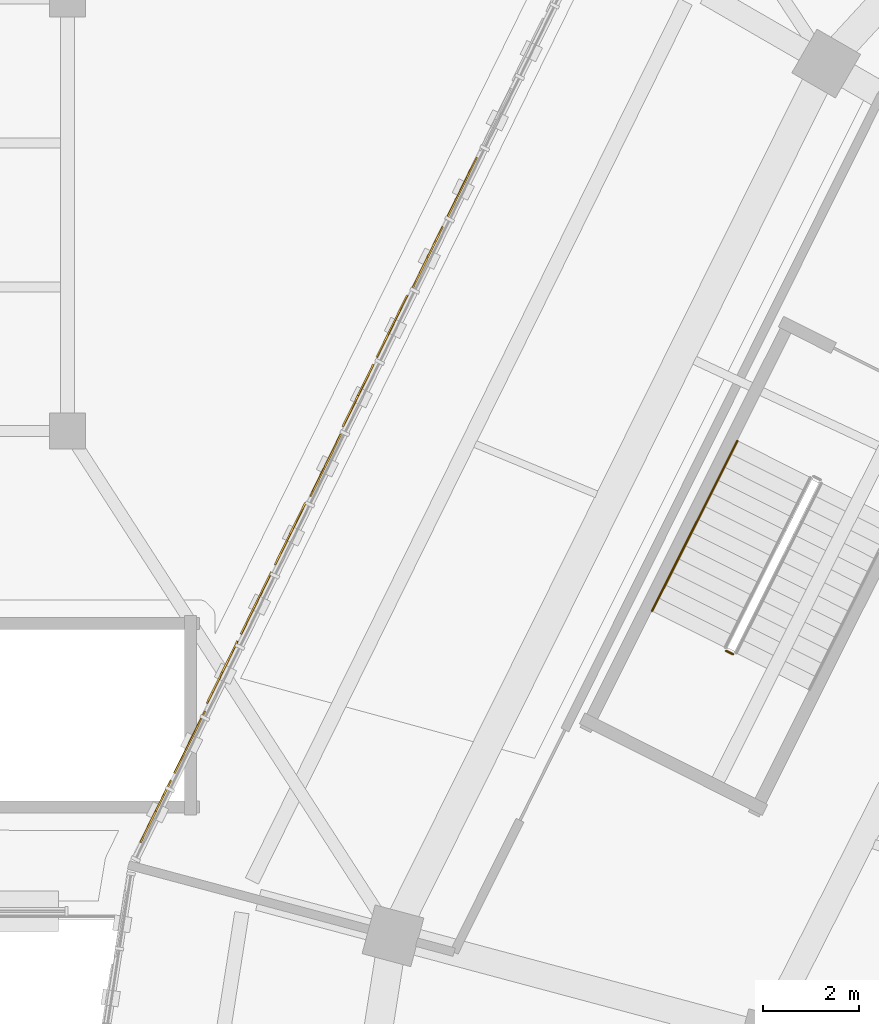
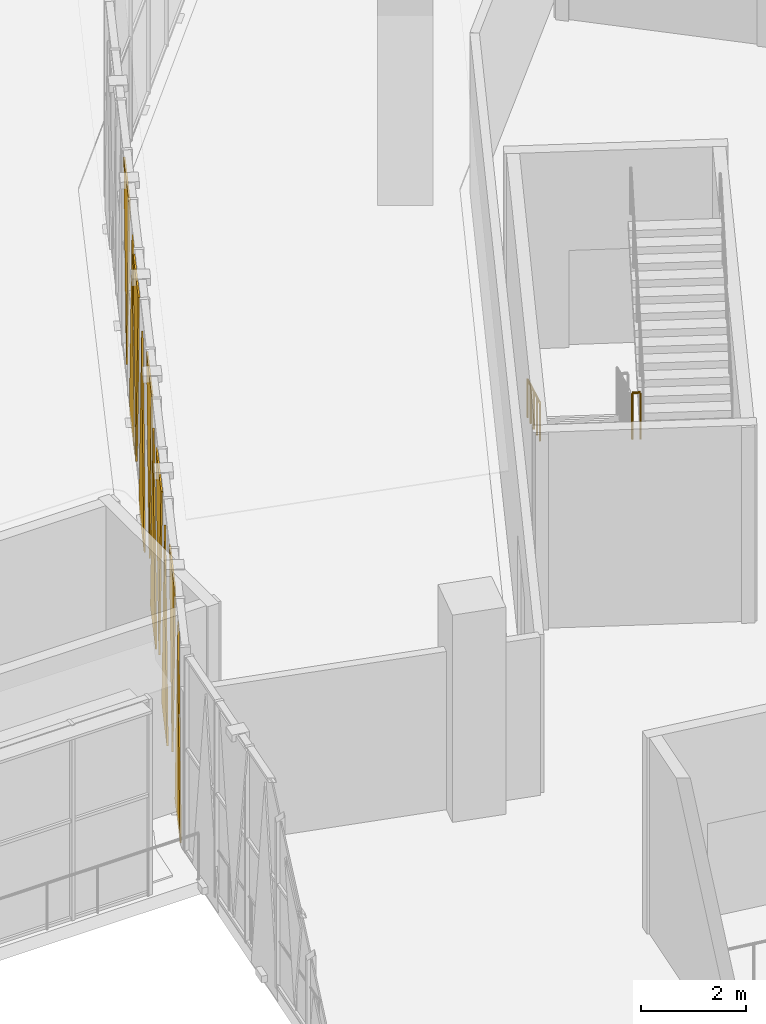
# One storey, part 123 of 152: 10 coverings, 2 railings.
"""IFC4 building model written with IfcOpenShell, lengths in metres."""

from ifc_helpers import new_model, si_unit, direction, frame, origin, origin_2d, place, context, subcontext, project, spatial, polyline, circle, outline, extrude, material, layer, layer_set, type_object, element, save


model = new_model("IFC4")

# Units and contexts
model_context = context("Model", 3, precision=1e-05, world=origin(), true_north=direction((0.0, 1.0)))
body_context = subcontext(model_context, "Body", "Model", "MODEL_VIEW")
ifc_project = project(units=[si_unit("LENGTHUNIT", "METRE"), si_unit("AREAUNIT", "SQUARE_METRE"), si_unit("VOLUMEUNIT", "CUBIC_METRE"), si_unit("PLANEANGLEUNIT", "RADIAN"), si_unit("MASSUNIT", "GRAM", prefix="KILO")], contexts=[model_context])

# Site, building, storey
site_placement = place(None, origin())
site = spatial("IfcSite", under=ifc_project, at=site_placement, CompositionType="ELEMENT")
building_placement = place(site_placement, origin())
building = spatial("IfcBuilding", under=site, at=building_placement, Name="Zevraka Park Crest Stadium", CompositionType="ELEMENT")
storey_placement = place(building_placement, frame((0.0, 0.0, 15.0)))
storey = spatial("IfcBuildingStorey", under=building, at=storey_placement, Name="L03", CompositionType="ELEMENT", Elevation=15.0)

# Coverings
ifc_material_1 = material(Name="Architectural golden-bronze perforated aluminium", Category="aluminium")
ifc_layer = layer(ifc_material_1, 0.034912109375)
ifc_layer_set = layer_set([ifc_layer], Name="Architectural golden-bronze perforated aluminium")
covering_type = type_object("IfcCoveringType", Name="CLD01", PredefinedType="CLADDING", material=ifc_layer_set)
covering_1_placement = place(storey_placement, frame((25.8701171875, 126.405029296875, 4.52001953125), z_axis=(-0.897581292576, 0.440848944339, 0.000177462733), x_axis=(0.440848951281, 0.89758130671, 0.0)))
element("IfcCovering", 1, at=covering_1_placement, inside=storey, type_object=covering_type, Name="Triangular Golden-Bronze Perforated Cladding L03-10-4", PredefinedType="CLADDING", context=body_context, shape_type="SweptSolid", body=[
    extrude(outline(polyline([(0.0, 0.0), (1.4448551794759072, -1.3552527156068805e-20), (0.7225967890141295, 4.300048895835768), (0.0, 0.0)])), origin(), (0.0, 0.0, -1.0), 0.034912109375),
])
covering_2_placement = place(storey_placement, frame((25.799072265625, 126.261962890625, -0.260009765625), z_axis=(-0.897848668856, 0.440304175898, 2.2811457e-05), x_axis=(-0.440304176012, -0.89784866909, 0.0)))
element("IfcCovering", 2, at=covering_2_placement, inside=storey, type_object=covering_type, Name="Triangular Golden-Bronze Perforated Cladding L03-10-5", PredefinedType="CLADDING", context=body_context, shape_type="SweptSolid", body=[
    extrude(outline(polyline([(0.0, 0.0), (1.4444249288858595, 1.6940658945086007e-21), (0.7227046151817446, 4.620117188702069), (0.0, 0.0)])), origin(), (0.0, 0.0, -1.0), 0.034912109375),
])
covering_3_placement = place(storey_placement, frame((24.455078125, 123.52392578125, 4.52001953125), z_axis=(0.897614138564, -0.440782098158, 1.3879859e-05), x_axis=(0.440782098201, 0.897614138651, 0.0)))
element("IfcCovering", 3, at=covering_3_placement, inside=storey, type_object=covering_type, Name="Triangular Golden-Bronze Perforated Cladding L03-10-6", PredefinedType="CLADDING", context=body_context, shape_type="SweptSolid", body=[
    extrude(outline(polyline([(0.0, 0.0), (1.4450743195452247, 0.0), (0.7232464391900753, -4.300048828539204), (0.0, 0.0)])), origin(), (0.0, 0.0, -1.0), 0.034912109375),
])
covering_4_placement = place(storey_placement, frame((24.385009765625, 123.3798828125, -0.260009765625), z_axis=(0.897449823133, -0.441116538913, 0.000118559742), x_axis=(-0.441116542014, -0.89744982944, 0.0)))
element("IfcCovering", 4, at=covering_4_placement, inside=storey, type_object=covering_type, Name="Triangular Golden-Bronze Perforated Cladding L03-10-7", PredefinedType="CLADDING", context=body_context, shape_type="SweptSolid", body=[
    extrude(outline(polyline([(0.0, 0.0), (1.4439786994094814, 0.0), (0.7222585858754034, -4.620117219971137), (0.0, 0.0)])), origin(), (0.0, 0.0, -1.0), 0.034912109375),
])
covering_5_placement = place(storey_placement, frame((23.041015625, 120.64306640625, 4.52001953125), z_axis=(-0.897581304025, 0.440848949962, 7.7343744e-05), x_axis=(0.440848951281, 0.89758130671, 0.0)))
element("IfcCovering", 5, at=covering_5_placement, inside=storey, type_object=covering_type, Name="Triangular Golden-Bronze Perforated Cladding L03-10-8", PredefinedType="CLADDING", context=body_context, shape_type="SweptSolid", body=[
    extrude(outline(polyline([(0.0, 0.0), (1.4448551794759075, 0.0), (0.721720244769296, 4.300048840986565), (0.0, 0.0)])), origin(), (0.0, 0.0, -1.0), 0.034912109375),
])
covering_6_placement = place(storey_placement, frame((22.969970703125, 120.4990234375, -0.260009765625), z_axis=(0.897881429156, -0.440237365509, 3.4435251e-05), x_axis=(-0.44023736577, -0.897881429689, 0.0)))
element("IfcCovering", 6, at=covering_6_placement, inside=storey, type_object=covering_type, Name="Triangular Golden-Bronze Perforated Cladding L03-10-9", PredefinedType="CLADDING", context=body_context, shape_type="SweptSolid", body=[
    extrude(outline(polyline([(0.0, 0.0), (1.4446441342204863, 0.0), (0.7217203038638793, -4.620117190239236), (0.0, 0.0)])), origin(), (0.0, 0.0, -1.0), 0.034912109375),
])
covering_7_placement = place(storey_placement, frame((21.6259765625, 117.761962890625, 4.52001953125), z_axis=(0.897614122454, -0.440782090247, 0.000189972778), x_axis=(0.440782098201, 0.897614138651, 0.0)))
element("IfcCovering", 7, at=covering_7_placement, inside=storey, type_object=covering_type, Name="Triangular Golden-Bronze Perforated Cladding L03-10-10", PredefinedType="CLADDING", context=body_context, shape_type="SweptSolid", body=[
    extrude(outline(polyline([(0.0, 0.0), (1.4450743195452247, -1.3552527156068805e-20), (0.7222583316229236, -4.300048905718644), (0.0, 0.0)])), origin(), (0.0, 0.0, -1.0), 0.034912109375),
])
covering_8_placement = place(storey_placement, frame((21.555908203125, 117.617919921875, -0.260009765625), z_axis=(0.897581300488, -0.440848948226, 0.000117737785), x_axis=(-0.440848951281, -0.89758130671, 0.0)))
element("IfcCovering", 8, at=covering_8_placement, inside=storey, type_object=covering_type, Name="Triangular Golden-Bronze Perforated Cladding L03-10-11", PredefinedType="CLADDING", context=body_context, shape_type="SweptSolid", body=[
    extrude(outline(polyline([(0.0, 0.0), (1.4448551794759072, 0.0), (0.7221507613232814, -4.620117219522464), (0.0, 0.0)])), origin(), (0.0, 0.0, -1.0), 0.034912109375),
])
covering_9_placement = place(storey_placement, frame((20.2119140625, 114.8798828125, 4.52001953125), z_axis=(-0.897547277, 0.440918199317, 0.000164502927), x_axis=(0.440918205283, 0.897547289144, 0.0)))
element("IfcCovering", 9, at=covering_9_placement, inside=storey, type_object=covering_type, Name="Triangular Golden-Bronze Perforated Cladding L03-10-12", PredefinedType="CLADDING", context=body_context, shape_type="SweptSolid", body=[
    extrude(outline(polyline([(0.0, 0.0), (1.4451819489774211, -1.3552527156068805e-20), (0.7229235017866343, 4.300048886307271), (0.0, 0.0)])), origin(), (0.0, 0.0, -1.0), 0.034912109375),
])
covering_10_placement = place(storey_placement, frame((20.14111328125, 114.737060546875, -0.260009765625), z_axis=(-0.897814621481, 0.440373593747, 5.81766e-05), x_axis=(-0.440373594493, -0.897814623001, 0.0)))
element("IfcCovering", 10, at=covering_10_placement, inside=storey, type_object=covering_type, Name="Triangular Golden-Bronze Perforated Cladding L03-10-13", PredefinedType="CLADDING", context=body_context, shape_type="SweptSolid", body=[
    extrude(outline(polyline([(0.0, 0.0), (1.4447516306762154, -6.776263578034403e-21), (0.7229237978960914, 4.620117195318432), (0.0, 0.0)])), origin(), (0.0, 0.0, -1.0), 0.034912109375),
])

# Railings
ifc_material_2 = material(Name="Powder-coated tubular steel stairwell guard", Category="steel")
railing_type_1 = type_object("IfcRailingType", Name="GR03", PredefinedType="GUARDRAIL", material=ifc_material_2)
railing_1_placement = place(storey_placement, frame((31.714111328125, 117.4228515625, 2.39990234375)))
element("IfcRailing", 11, at=railing_1_placement, inside=storey, type_object=railing_type_1, Name="L03 ST11 stair guard 2", PredefinedType="GUARDRAIL", context=body_context, shape_type="SweptSolid", body=[
    extrude(circle(Radius=0.02392578125, at=origin_2d()), frame((0.0, 0.0, 1.076171875), z_axis=(0.893816245171, -0.44843340628, 0.0), x_axis=(0.44843340628, 0.893816245171, 0.0)), (0.0, 0.0, 1.0), 0.16015625),
    extrude(circle(Radius=0.02099609375, at=origin_2d()), origin(), (0.0, 0.0, 1.0), 1.052001953125),
    extrude(circle(Radius=0.02099609375, at=origin_2d()), frame((0.14306640625, -0.07177734375, 0.0)), (0.0, 0.0, 1.0), 1.052001953125),
])
ifc_material_3 = material(Name="Brushed stainless steel continuous handrail", Category="steel")
railing_type_2 = type_object("IfcRailingType", Name="HR01", PredefinedType="HANDRAIL", material=ifc_material_3)
railing_2_placement = place(storey_placement, frame((31.947998046875, 121.79638671875, 0.17138671875)))
element("IfcRailing", 12, at=railing_2_placement, inside=storey, type_object=railing_type_2, Name="L03 ST11 stair handrail 1", PredefinedType="HANDRAIL", context=body_context, shape_type="SweptSolid", body=[
    extrude(circle(Radius=0.02392578125, at=origin_2d()), frame((0.0, 0.0, 0.8759765625), z_axis=(-0.390499471061, -0.779388635026, 0.489962772763), x_axis=(0.894057440576, -0.447952333346, 0.0)), (0.0, 0.0, 1.0), 4.54833984375),
    extrude(circle(Radius=0.02099609375, at=origin_2d()), origin(), (0.0, 0.0, 1.0), 0.851806640625),
    extrude(circle(Radius=0.02099609375, at=origin_2d()), frame((-0.444091796875, -0.88623046875, 0.55712890625)), (0.0, 0.0, 1.0), 0.851806640625),
    extrude(circle(Radius=0.02099609375, at=origin_2d()), frame((-0.88818359375, -1.7724609375, 1.1142578125)), (0.0, 0.0, 1.0), 0.851806640625),
    extrude(circle(Radius=0.02099609375, at=origin_2d()), frame((-1.33203125, -2.65869140625, 1.67138671875)), (0.0, 0.0, 1.0), 0.851806640625),
    extrude(circle(Radius=0.02099609375, at=origin_2d()), frame((-1.776123046875, -3.544921875, 2.228515625)), (0.0, 0.0, 1.0), 0.851806640625),
])

save(model, "model.ifc")
